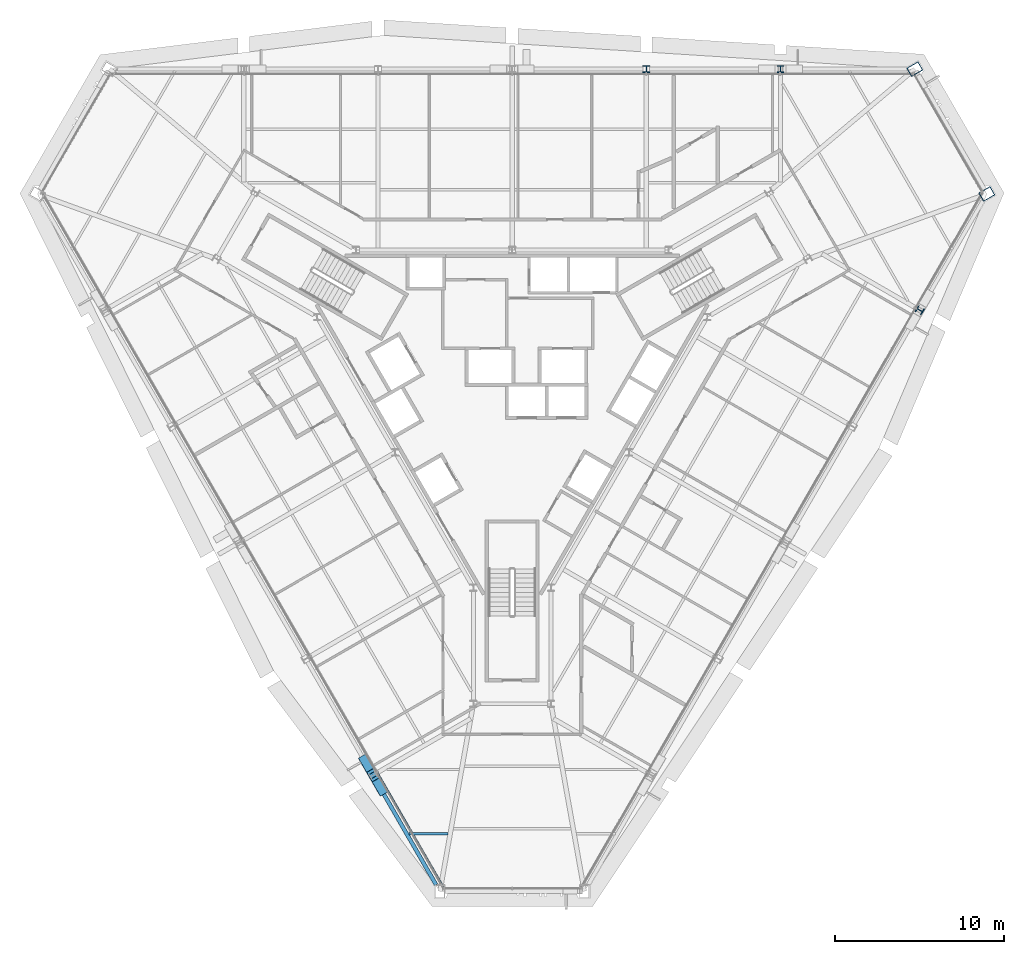
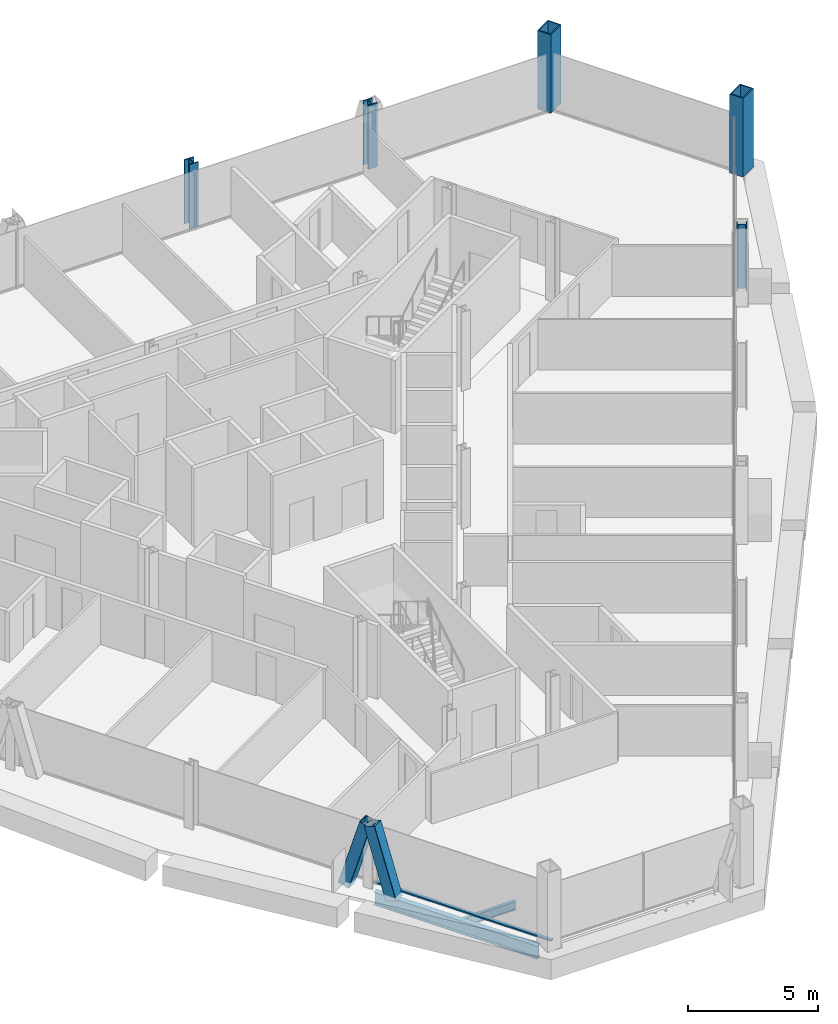
# One storey, part 2 of 14: 5 columns, 3 members, 2 beams, 1 element without a shape of its own.
"""IFC4 building model written with IfcOpenShell, lengths in metres."""

from ifc_helpers import new_model, si_unit, direction, frame, origin, origin_2d, place, context, subcontext, project, spatial, rectangle, hollow_rectangle, i_section, extrude, material, material_profile, profile_set, type_object, element, aggregate, save


model = new_model("IFC4")

# Units and contexts
model_context = context("Model", 3, precision=1e-05, world=origin(), true_north=direction((0.0, 1.0)))
body_context = subcontext(model_context, "Body", "Model", "MODEL_VIEW")
ifc_project = project(units=[si_unit("LENGTHUNIT", "METRE"), si_unit("AREAUNIT", "SQUARE_METRE"), si_unit("VOLUMEUNIT", "CUBIC_METRE"), si_unit("PLANEANGLEUNIT", "RADIAN"), si_unit("MASSUNIT", "GRAM", prefix="KILO")], contexts=[model_context])

# Site, building, storey
site_placement = place(None, origin())
site = spatial("IfcSite", under=ifc_project, at=site_placement, CompositionType="ELEMENT")
building_placement = place(site_placement, origin())
building = spatial("IfcBuilding", under=site, at=building_placement, Name="Verrane Prism Tower", CompositionType="ELEMENT")
storey_placement = place(building_placement, frame((0.0, 0.0, 196.89990234375)))
storey = spatial("IfcBuildingStorey", under=building, at=storey_placement, Name="L49", CompositionType="ELEMENT", Elevation=196.89990234375)

# Columns
ifc_material_1 = material(Name="Steel A572 Grade 50", Category="steel")
ifc_material_profile_1 = material_profile(ifc_material_1, hollow_rectangle(XDim=0.60009765625, YDim=0.800048828125, WallThickness=0.050048828125, at=origin_2d()), Name="BOX 800x600x50")
ifc_profile_set_1 = profile_set([ifc_material_profile_1], Name="Steel A572 Grade 50")
column_type_1 = type_object("IfcColumnType", Name="Megacolumn BOX 800x600x50", PredefinedType="COLUMN", material=ifc_profile_set_1)
for number, where, z_axis, x_axis, name in (
    (1, (23.860107421875, 18.7099609375, 0.0), (0.0, 0.0, 1.0), (0.5, -0.866025403784, 0.0), "Megacolumn MC-NE.b L49"),
    (2, (28.1298828125, 11.31005859375, 0.0), (0.0, 0.0, 1.0), (0.5, -0.866025403784, 0.0), "Megacolumn MC-NE.a L49"),
):
    element("IfcColumn", number, at=place(storey_placement, frame(where, z_axis=z_axis, x_axis=x_axis)), inside=storey, type_object=column_type_1, Name=name, PredefinedType="COLUMN", context=body_context, shape_type="SweptSolid", body=[
        extrude(hollow_rectangle(XDim=0.60009765625, YDim=0.800048828125, WallThickness=0.050048828125, at=origin_2d()), origin(), (0.0, 0.0, 1.0), 3.7001953125),
    ])
ifc_material_2 = material(Name="Steel A992", Category="steel")
ifc_material_profile_2 = material_profile(ifc_material_2, i_section(OverallWidth=0.406494140625, OverallDepth=0.41650390625, WebThickness=0.030029296875, FlangeThickness=0.048095703125, FilletRadius=0.01513671875, at=origin_2d()), Name="W14x257")
ifc_profile_set_2 = profile_set([ifc_material_profile_2], Name="Steel A992")
column_type_2 = type_object("IfcColumnType", Name="Perimeter column W14x257", PredefinedType="COLUMN", material=ifc_profile_set_2)
for number, where, z_axis, x_axis, name in (
    (3, (15.89990234375, 18.7099609375, 0.0), (0.0, 0.0, 1.0), (1.0, 0.0, 0.0), "Perimeter column PC-N1 L49"),
    (4, (7.949951171875, 18.7099609375, 0.0), (0.0, 0.0, 1.0), (1.0, 0.0, 0.0), "Perimeter column PC-N2 L49"),
    (5, (24.159912109375, 4.419921875, 0.0), (0.0, 0.0, 1.0), (-0.5, -0.866025403784, 0.0), "Perimeter column PC-SE5 L49"),
):
    element("IfcColumn", number, at=place(storey_placement, frame(where, z_axis=z_axis, x_axis=x_axis)), inside=storey, type_object=column_type_2, Name=name, PredefinedType="COLUMN", context=body_context, shape_type="SweptSolid", body=[
        extrude(i_section(OverallWidth=0.406494140625, OverallDepth=0.41650390625, WebThickness=0.030029296875, FlangeThickness=0.048095703125, FilletRadius=0.01513671875, at=origin_2d()), origin(), (0.0, 0.0, 1.0), 3.010009765625),
    ])

# Members
ifc_material_3 = material(Name="Steel A500 Grade C", Category="steel")
ifc_material_profile_3 = material_profile(ifc_material_3, hollow_rectangle(XDim=0.508056640625, YDim=0.508056640625, WallThickness=0.01904296875, InnerFilletRadius=0.009521484375, OuterFilletRadius=0.028564453125, at=origin_2d()), Name="HSS20x20x3/4")
ifc_profile_set_3 = profile_set([ifc_material_profile_3], Name="Steel A500 Grade C")
member_type_1 = type_object("IfcMemberType", Name="Facade brace HSS20x20x3/4", PredefinedType="BRACE", material=ifc_profile_set_3)
member_1_placement = place(storey_placement, frame((-8.780517578125, -22.2119140625, -0.216552734375), z_axis=(0.145105624337, -0.251217783834, 0.956992154028), x_axis=(0.865928416946, 0.500167948519, 0.0)))
element("IfcMember", 6, at=member_1_placement, inside=storey, type_object=member_type_1, Name="Facade brace SW4 L49", PredefinedType="BRACE", context=body_context, shape_type="SweptSolid", body=[
    extrude(hollow_rectangle(XDim=0.508056640625, YDim=0.508056640625, WallThickness=0.01904296875, InnerFilletRadius=0.009521484375, OuterFilletRadius=0.028564453125, at=origin_2d()), origin(), (0.0, 0.0, 1.0), 3.32470703125),
])
member_2_placement = place(storey_placement, frame((-7.72119140625, -24.048095703125, -0.216552734375), z_axis=(-0.145222569285, 0.251900220028, 0.95679500653), x_axis=(-0.866341082047, -0.499452830163, 0.0)))
element("IfcMember", 7, at=member_2_placement, inside=storey, type_object=member_type_1, Name="Facade brace SW5 L49", PredefinedType="BRACE", context=body_context, shape_type="SweptSolid", body=[
    extrude(hollow_rectangle(XDim=0.508056640625, YDim=0.508056640625, WallThickness=0.01904296875, InnerFilletRadius=0.009521484375, OuterFilletRadius=0.028564453125, at=origin_2d()), origin(), (0.0, 0.0, 1.0), 3.3251953125),
])

# Beams
ifc_material_4 = material(Name="Steel A992", Category="steel")
ifc_material_profile_4 = material_profile(ifc_material_4, i_section(OverallWidth=0.140380859375, OverallDepth=0.40380859375, WebThickness=0.007080078125, FlangeThickness=0.01123046875, FilletRadius=0.01025390625, at=origin_2d()), Name="W16x31")
ifc_profile_set_4 = profile_set([ifc_material_profile_4], Name="Steel A992")
beam_type_1 = type_object("IfcBeamType", Name="Floor beam W16x31", PredefinedType="BEAM", material=ifc_profile_set_4)
beam_1_placement = place(storey_placement, frame((-6.113037109375, -26.603271484375, -0.36181640625), z_axis=(1.0, 0.0, 0.0), x_axis=(0.0, 1.0, 0.0)))
element("IfcBeam", 8, at=beam_1_placement, inside=storey, type_object=beam_type_1, Name="Floor beam L49", PredefinedType="BEAM", context=body_context, shape_type="SweptSolid", body=[
    extrude(i_section(OverallWidth=0.140380859375, OverallDepth=0.40380859375, WebThickness=0.007080078125, FlangeThickness=0.01123046875, FilletRadius=0.01025390625, at=origin_2d()), origin(), (0.0, 0.0, 1.0), 2.30419921875),
])
ifc_material_5 = material(Name="Steel A992", Category="steel")
ifc_material_profile_5 = material_profile(ifc_material_5, i_section(OverallWidth=0.23046875, OverallDepth=0.6171875, WebThickness=0.01318359375, FlangeThickness=0.022216796875, FilletRadius=0.012939453125, at=origin_2d()), Name="W24x94")
ifc_profile_set_5 = profile_set([ifc_material_profile_5], Name="Steel A992")
beam_type_2 = type_object("IfcBeamType", Name="Spandrel beam W24x94", PredefinedType="SPANDREL", material=ifc_profile_set_5)
beam_2_placement = place(storey_placement, frame((-8.148681640625, -23.30615234375, -0.468505859375), z_axis=(0.499260257978, -0.866452072999, 0.0), x_axis=(0.866452072999, 0.499260257978, 0.0)))
element("IfcBeam", 9, at=beam_2_placement, inside=storey, type_object=beam_type_2, Name="Spandrel beam L49", PredefinedType="SPANDREL", context=body_context, shape_type="SweptSolid", body=[
    extrude(i_section(OverallWidth=0.23046875, OverallDepth=0.6171875, WebThickness=0.01318359375, FlangeThickness=0.022216796875, FilletRadius=0.012939453125, at=origin_2d()), origin(), (0.0, 0.0, 1.0), 7.287109375),
])

# Curtain wall, member
ifc_material_6 = material(Name="Aluminium framed insulated glazing", Category="aluminium")
curtain_wall_type = type_object("IfcCurtainWallType", Name="Curtain wall CW-A 8400 module", PredefinedType="NOTDEFINED", material=ifc_material_6)
curtain_wall_placement = place(storey_placement, origin())
curtain_wall = element("IfcCurtainWall", 10, at=curtain_wall_placement, inside=storey, type_object=curtain_wall_type, Name="Glazed curtain wall south-west face L49", PredefinedType="NOTDEFINED")
ifc_material_7 = material(Name="Aluminium alloy 6063-T6", Category="aluminium")
ifc_material_profile_6 = material_profile(ifc_material_7, rectangle(XDim=0.14990234375, YDim=0.070068359375, at=origin_2d()), Name="Transom 70x150 aluminium")
ifc_profile_set_6 = profile_set([ifc_material_profile_6], Name="Aluminium alloy 6063-T6")
member_type_2 = type_object("IfcMemberType", Name="Transom 70x150 aluminium", PredefinedType="USERDEFINED", material=ifc_profile_set_6)
member_3_placement = place(storey_placement, frame((-8.006591796875, -22.994140625, 0.03515625), z_axis=(0.499980071345, -0.866036909293, 0.0), x_axis=(0.866036909293, 0.499980071345, 0.0)))
member_3 = element("IfcMember", 11, at=member_3_placement, type_object=member_type_2, Name="CW47.4 transom 6", ObjectType="TRANSOM", PredefinedType="USERDEFINED", context=body_context, shape_type="SweptSolid", body=[
    extrude(rectangle(XDim=0.14990234375, YDim=0.070068359375, at=origin_2d()), origin(), (0.0, 0.0, 1.0), 7.902587890625),
])
aggregate(curtain_wall, [member_3])

save(model, "model.ifc")
